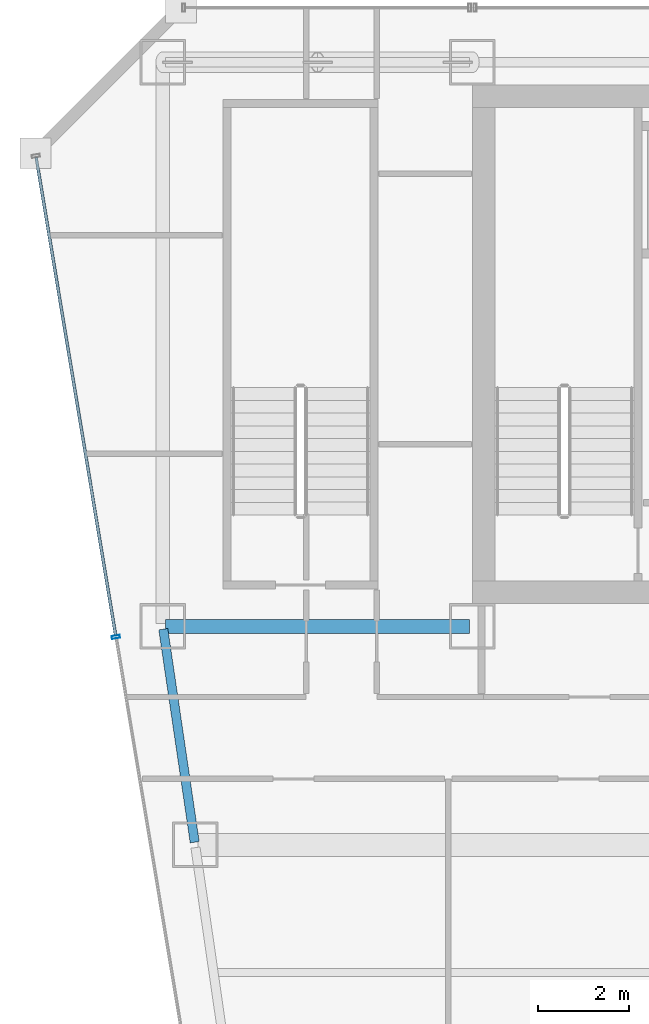
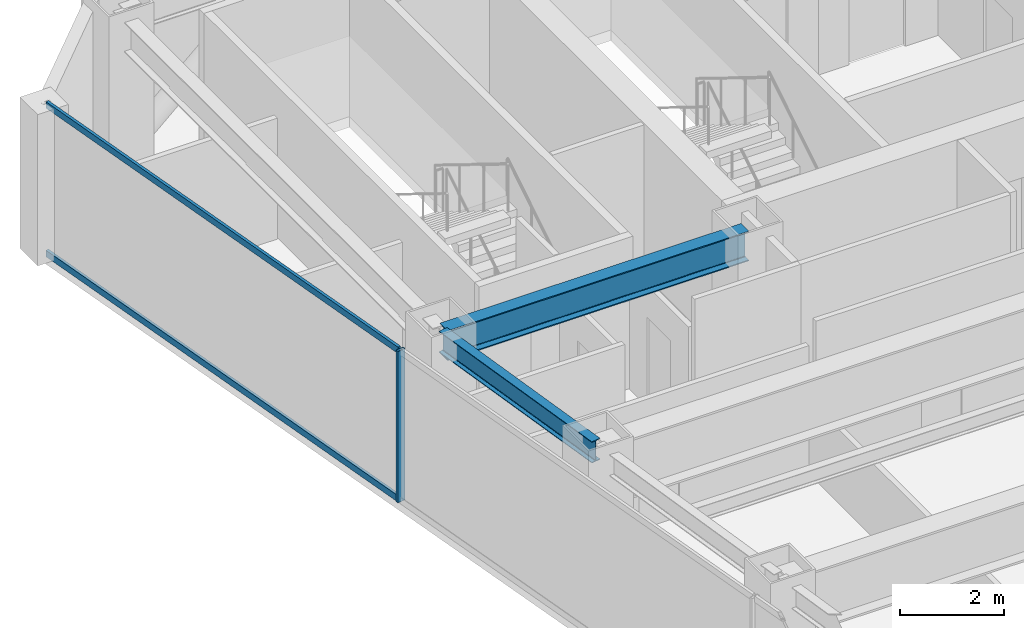
# One storey, part 19 of 37: 3 members, 2 beams, 1 element without a shape of its own.
"""IFC4 building model written with IfcOpenShell, lengths in metres."""

from ifc_helpers import new_model, si_unit, direction, frame, origin, origin_2d, place, context, subcontext, project, spatial, hollow_rectangle, i_section, extrude, material, material_profile, profile_set, type_object, element, aggregate, save


model = new_model("IFC4")

# Units and contexts
model_context = context("Model", 3, precision=1e-05, world=origin(), true_north=direction((0.0, 1.0)))
body_context = subcontext(model_context, "Body", "Model", "MODEL_VIEW")
ifc_project = project(units=[si_unit("LENGTHUNIT", "METRE"), si_unit("AREAUNIT", "SQUARE_METRE"), si_unit("VOLUMEUNIT", "CUBIC_METRE"), si_unit("PLANEANGLEUNIT", "RADIAN"), si_unit("MASSUNIT", "GRAM", prefix="KILO")], contexts=[model_context])

# Site, building, storey
site_placement = place(None, origin())
site = spatial("IfcSite", under=ifc_project, at=site_placement, CompositionType="ELEMENT")
building_placement = place(site_placement, origin())
building = spatial("IfcBuilding", under=site, at=building_placement, Name="Saevonmaru Cultural Tower", CompositionType="ELEMENT")
storey_placement = place(building_placement, frame((0.0, 0.0, 163.800048828125)))
storey = spatial("IfcBuildingStorey", under=building, at=storey_placement, Name="L36", CompositionType="ELEMENT", Elevation=163.800048828125)

# Beams
ifc_material_1 = material(Name="Steel SM355", Category="steel")
ifc_material_profile_1 = material_profile(ifc_material_1, i_section(OverallWidth=0.300048828125, OverallDepth=0.699951171875, WebThickness=0.012939453125, FlangeThickness=0.02392578125, FilletRadius=0.02587890625, at=origin_2d()), Name="H-700x300x13x24")
ifc_profile_set_1 = profile_set([ifc_material_profile_1], Name="Steel SM355")
beam_type_1 = type_object("IfcBeamType", Name="BM-G-H700", PredefinedType="BEAM", material=ifc_profile_set_1)
beam_1_placement = place(storey_placement, frame((6.860107421875, 42.39990234375, 3.199951171875), z_axis=(1.0, 0.0, 0.0), x_axis=(0.0, 1.0, 0.0)))
element("IfcBeam", 1, at=beam_1_placement, inside=storey, type_object=beam_type_1, Name="L36 Core South Girder 1", PredefinedType="BEAM", context=body_context, shape_type="SweptSolid", body=[
    extrude(i_section(OverallWidth=0.300048828125, OverallDepth=0.699951171875, WebThickness=0.012939453125, FlangeThickness=0.02392578125, FilletRadius=0.02587890625, at=origin_2d()), origin(), (0.0, 0.0, 1.0), 6.679931640625),
])
ifc_material_profile_2 = material_profile(ifc_material_1, i_section(OverallWidth=0.199951171875, OverallDepth=0.5, WebThickness=0.010009765625, FlangeThickness=0.01611328125, FilletRadius=0.02001953125, at=origin_2d()), Name="H-500x200x10x16")
ifc_profile_set_2 = profile_set([ifc_material_profile_2], Name="Steel SM355")
beam_type_2 = type_object("IfcBeamType", Name="BM-SP-H500", PredefinedType="SPANDREL", material=ifc_profile_set_2)
beam_2_placement = place(storey_placement, frame((7.499267578125, 37.659423828125, 3.300048828125), z_axis=(-0.145912860028, 0.989297446312, 0.0), x_axis=(-0.989297446312, -0.145912860028, 0.0)))
element("IfcBeam", 2, at=beam_2_placement, inside=storey, type_object=beam_type_2, Name="L36 West Splayed Spandrel 5", PredefinedType="SPANDREL", context=body_context, shape_type="SweptSolid", body=[
    extrude(i_section(OverallWidth=0.199951171875, OverallDepth=0.5, WebThickness=0.010009765625, FlangeThickness=0.01611328125, FilletRadius=0.02001953125, at=origin_2d()), origin(), (0.0, 0.0, 1.0), 4.731689453125),
])

# Curtain wall, members
ifc_material_2 = material(Name="Satin Bronze Anodised Aluminium", Category="aluminium")
curtain_wall_type = type_object("IfcCurtainWallType", Name="CW-TYP-A", PredefinedType="NOTDEFINED", material=ifc_material_2)
curtain_wall_placement = place(storey_placement, origin())
curtain_wall = element("IfcCurtainWall", 3, at=curtain_wall_placement, inside=storey, type_object=curtain_wall_type, Name="L36 Unitised Curtain Wall E12", PredefinedType="NOTDEFINED")
ifc_material_profile_3 = material_profile(ifc_material_2, hollow_rectangle(XDim=0.06494140625, YDim=0.179931640625, WallThickness=0.00390625, at=origin_2d()), Name="ALU-MULL-180x65x4")
ifc_profile_set_3 = profile_set([ifc_material_profile_3], Name="Satin Bronze Anodised Aluminium")
member_type_1 = type_object("IfcMemberType", Name="ML-CW-180x65", PredefinedType="MULLION", material=ifc_profile_set_3)
member_1_placement = place(storey_placement, frame((5.76708984375, 42.17041015625, 0.0), z_axis=(0.0, 0.0, 1.0), x_axis=(0.163998702345, -0.986460554523, 0.0)))
member_1 = element("IfcMember", 4, at=member_1_placement, type_object=member_type_1, Name="CW-TW-L36-E12 mullion 2", PredefinedType="MULLION", context=body_context, shape_type="SweptSolid", body=[
    extrude(hollow_rectangle(XDim=0.06494140625, YDim=0.179931640625, WallThickness=0.00390625, at=origin_2d()), origin(), (0.0, 0.0, 1.0), 3.550048828125),
])
ifc_material_profile_4 = material_profile(ifc_material_2, hollow_rectangle(XDim=0.06494140625, YDim=0.14990234375, WallThickness=0.00390625, at=origin_2d()), Name="ALU-TRAN-150x65x4")
ifc_profile_set_4 = profile_set([ifc_material_profile_4], Name="Satin Bronze Anodised Aluminium")
member_type_2 = type_object("IfcMemberType", Name="TR-CW-150x65", PredefinedType="USERDEFINED", material=ifc_profile_set_4)
member_2_placement = place(storey_placement, frame((4.01513671875, 52.708740234375, 0.032470703125), z_axis=(0.163990079074, -0.9864619881, 0.0), x_axis=(0.9864619881, 0.163990079074, 0.0)))
member_2 = element("IfcMember", 5, at=member_2_placement, type_object=member_type_2, Name="CW-TW-L36-E12 transom 1.1", ObjectType="TRANSOM", PredefinedType="USERDEFINED", context=body_context, shape_type="SweptSolid", body=[
    extrude(hollow_rectangle(XDim=0.06494140625, YDim=0.14990234375, WallThickness=0.00390625, at=origin_2d()), origin(), (0.0, 0.0, 1.0), 10.650634765625),
])
member_3_placement = place(storey_placement, frame((4.01513671875, 52.708740234375, 3.517333984375), z_axis=(0.163990079074, -0.9864619881, 0.0), x_axis=(0.9864619881, 0.163990079074, 0.0)))
member_3 = element("IfcMember", 6, at=member_3_placement, type_object=member_type_2, Name="CW-TW-L36-E12 transom 1.2", ObjectType="TRANSOM", PredefinedType="USERDEFINED", context=body_context, shape_type="SweptSolid", body=[
    extrude(hollow_rectangle(XDim=0.06494140625, YDim=0.14990234375, WallThickness=0.00390625, at=origin_2d()), origin(), (0.0, 0.0, 1.0), 10.650634765625),
])
aggregate(curtain_wall, [member_1, member_2, member_3])

save(model, "model.ifc")
